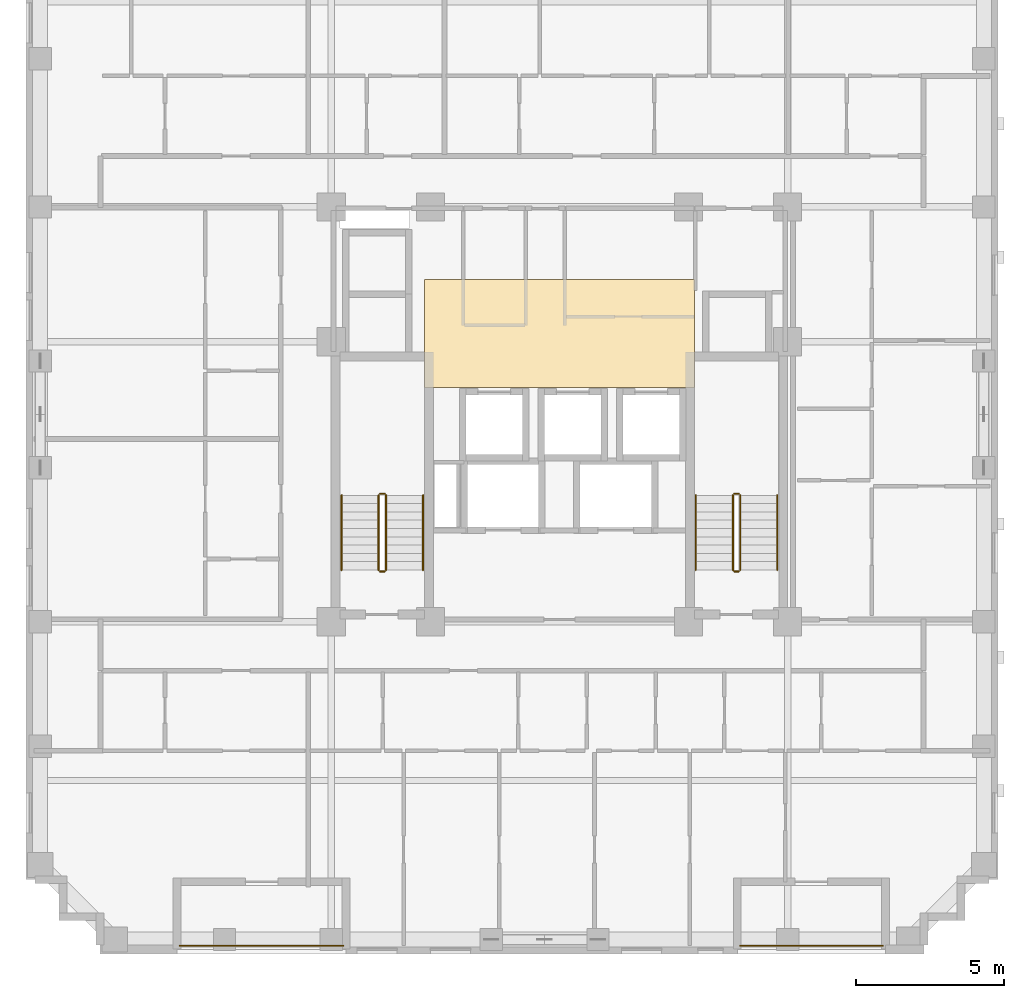
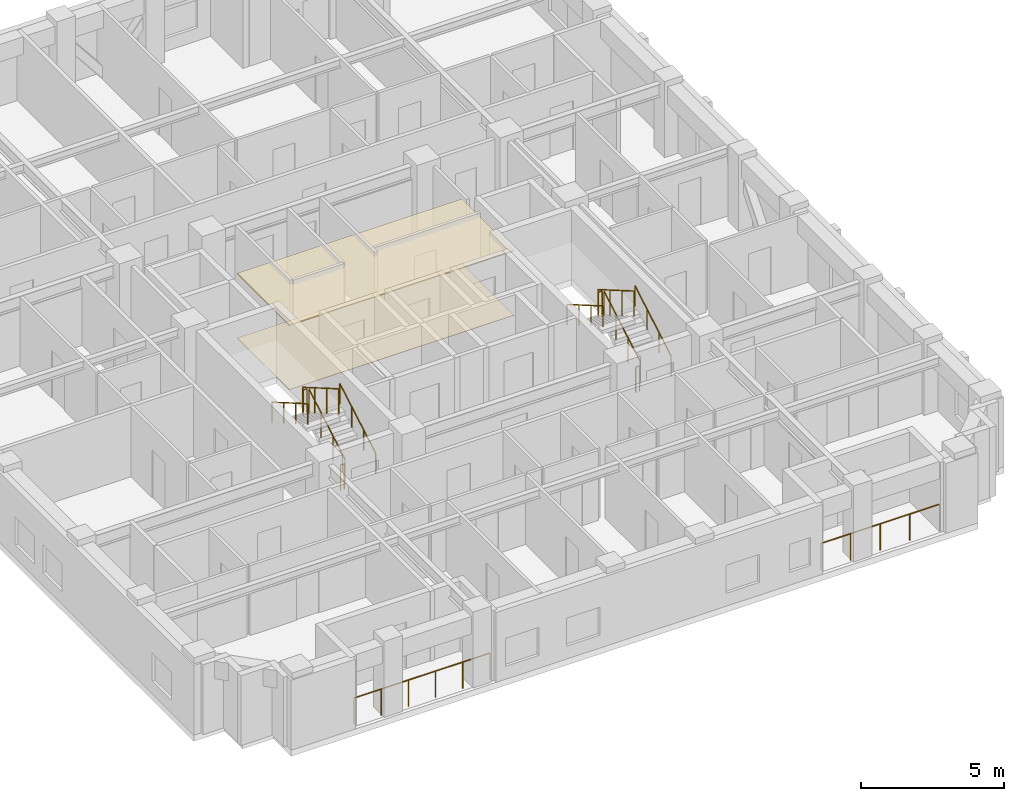
# One storey, part 10 of 11: 14 railings, 2 coverings.
"""IFC4 building model written with IfcOpenShell, lengths in metres."""

from ifc_helpers import new_model, si_unit, derived_unit, direction, frame, origin, origin_2d, place, context, subcontext, project, spatial, polyline, circle, outline, extrude, material, layer, layer_set, type_object, element, save


model = new_model("IFC4")

# Units and contexts
model_context = context("Model", 3, precision=1e-05, world=origin(), true_north=direction((0.0, 1.0)))
body_context = subcontext(model_context, "Body", "Model", "MODEL_VIEW")
ifc_project = project(units=[si_unit("LENGTHUNIT", "METRE"), si_unit("AREAUNIT", "SQUARE_METRE"), si_unit("VOLUMEUNIT", "CUBIC_METRE"), si_unit("PLANEANGLEUNIT", "RADIAN"), si_unit("MASSUNIT", "GRAM", prefix="KILO"), derived_unit("THERMALTRANSMITTANCEUNIT", [(si_unit("MASSUNIT", "GRAM", prefix="KILO"), 1), (si_unit("TIMEUNIT", "SECOND"), -3), (si_unit("THERMODYNAMICTEMPERATUREUNIT", "KELVIN"), -1)])], contexts=[model_context])

# Site, building, storey
site_placement = place(None, origin())
site = spatial("IfcSite", under=ifc_project, at=site_placement, CompositionType="ELEMENT")
building_placement = place(site_placement, origin())
building = spatial("IfcBuilding", under=site, at=building_placement, Name="Korrvale Station Residences", CompositionType="ELEMENT")
storey_placement = place(building_placement, frame((0.0, 0.0, 143.89990234375)))
storey = spatial("IfcBuildingStorey", under=building, at=storey_placement, Name="L41", CompositionType="ELEMENT", Elevation=143.89990234375)

# Coverings
ifc_material_1 = material(Name="Perforated acoustic mineral-fibre suspended ceiling", Category="gypsum")
ifc_layer_1 = layer(ifc_material_1, 0.050048828125, Name="Perforated acoustic mineral-fibre suspended ceiling")
ifc_layer_set_1 = layer_set([ifc_layer_1], Name="Perforated acoustic mineral-fibre suspended ceiling")
covering_type_1 = type_object("IfcCoveringType", Name="COV-CLG-AC60", PredefinedType="CEILING", material=ifc_layer_set_1)
covering_1_placement = place(storey_placement, frame((0.0, 0.0, 2.739990234375)))
element("IfcCovering", 1, at=covering_1_placement, inside=storey, type_object=covering_type_1, Name="L41 Elevator Lobby Acoustic Ceiling", PredefinedType="CEILING", context=body_context, shape_type="SweptSolid", body=[
    extrude(outline(polyline([(20.949951171875, 22.89990234375), (30.050048828125, 22.89990234375), (30.050048828125, 26.550048828125), (20.949951171875, 26.550048828125), (20.949951171875, 22.89990234375)])), origin(), (0.0, 0.0, 1.0), 0.050048828125),
])
ifc_material_2 = material(Name="Polished quartz-terrazzo lobby flooring", Category="masonry")
ifc_layer_2 = layer(ifc_material_2, 0.02001953125, Name="Polished quartz-terrazzo lobby flooring")
ifc_layer_set_2 = layer_set([ifc_layer_2], Name="Polished quartz-terrazzo lobby flooring")
covering_type_2 = type_object("IfcCoveringType", Name="COV-FLR-TER20", PredefinedType="FLOORING", material=ifc_layer_set_2)
covering_2_placement = place(storey_placement, origin())
element("IfcCovering", 2, at=covering_2_placement, inside=storey, type_object=covering_type_2, Name="L41 Elevator Lobby Terrazzo Flooring", PredefinedType="FLOORING", context=body_context, shape_type="SweptSolid", body=[
    extrude(outline(polyline([(20.949951171875, 22.89990234375), (30.050048828125, 22.89990234375), (30.050048828125, 26.550048828125), (20.949951171875, 26.550048828125), (20.949951171875, 22.89990234375)])), origin(), (0.0, 0.0, 1.0), 0.02001953125),
])

# Railings
ifc_material_3 = material(Name="Powder-coated aluminium picket loggia guard", Category="aluminium")
railing_type_1 = type_object("IfcRailingType", Name="RLG-BAL-1150", PredefinedType="GUARDRAIL", material=ifc_material_3)
railing_1_placement = place(storey_placement, frame((31.60009765625, 4.070068359375, 0.0)))
element("IfcRailing", 3, at=railing_1_placement, inside=storey, type_object=railing_type_1, Name="L41 Recessed Loggia Guardrail BAL-L41-S2", PredefinedType="GUARDRAIL", context=body_context, shape_type="SweptSolid", body=[
    extrude(circle(Radius=0.02392578125, at=origin_2d()), frame((0.0, 0.0, 1.1259765625), z_axis=(1.0, 0.0, 0.0), x_axis=(0.0, 1.0, 0.0)), (0.0, 0.0, 1.0), 4.7998046875),
    extrude(circle(Radius=0.02099609375, at=origin_2d()), origin(), (0.0, 0.0, 1.0), 1.101806640625),
    extrude(circle(Radius=0.02099609375, at=origin_2d()), frame((1.199951171875, 0.0, 0.0)), (0.0, 0.0, 1.0), 1.101806640625),
    extrude(circle(Radius=0.02099609375, at=origin_2d()), frame((2.39990234375, 0.0, 0.0)), (0.0, 0.0, 1.0), 1.101806640625),
    extrude(circle(Radius=0.02099609375, at=origin_2d()), frame((3.599853515625, 0.0, 0.0)), (0.0, 0.0, 1.0), 1.101806640625),
    extrude(circle(Radius=0.02099609375, at=origin_2d()), frame((4.7998046875, 0.0, 0.0)), (0.0, 0.0, 1.0), 1.101806640625),
])
railing_2_placement = place(storey_placement, frame((12.699951171875, 4.070068359375, 0.0)))
element("IfcRailing", 4, at=railing_2_placement, inside=storey, type_object=railing_type_1, Name="L41 Recessed Loggia Guardrail BAL-L41-S1", PredefinedType="GUARDRAIL", context=body_context, shape_type="SweptSolid", body=[
    extrude(circle(Radius=0.02392578125, at=origin_2d()), frame((0.0, 0.0, 1.1259765625), z_axis=(1.0, 0.0, 0.0), x_axis=(0.0, 1.0, 0.0)), (0.0, 0.0, 1.0), 5.5),
    extrude(circle(Radius=0.02099609375, at=origin_2d()), origin(), (0.0, 0.0, 1.0), 1.101806640625),
    extrude(circle(Radius=0.02099609375, at=origin_2d()), frame((1.10009765625, 0.0, 0.0)), (0.0, 0.0, 1.0), 1.101806640625),
    extrude(circle(Radius=0.02099609375, at=origin_2d()), frame((2.199951171875, 0.0, 0.0)), (0.0, 0.0, 1.0), 1.101806640625),
    extrude(circle(Radius=0.02099609375, at=origin_2d()), frame((3.300048828125, 0.0, 0.0)), (0.0, 0.0, 1.0), 1.101806640625),
    extrude(circle(Radius=0.02099609375, at=origin_2d()), frame((4.39990234375, 0.0, 0.0)), (0.0, 0.0, 1.0), 1.101806640625),
    extrude(circle(Radius=0.02099609375, at=origin_2d()), frame((5.5, 0.0, 0.0)), (0.0, 0.0, 1.0), 1.101806640625),
])
ifc_material_4 = material(Name="Brushed stainless-steel continuous stair handrail", Category="steel")
railing_type_2 = type_object("IfcRailingType", Name="RLG-SHND-900", PredefinedType="HANDRAIL", material=ifc_material_4)
railing_3_placement = place(storey_placement, frame((20.89990234375, 16.75, 0.16259765625)))
element("IfcRailing", 5, at=railing_3_placement, inside=storey, type_object=railing_type_2, Name="L41 ST-1 stair handrail 1", PredefinedType="HANDRAIL", context=body_context, shape_type="SweptSolid", body=[
    extrude(circle(Radius=0.02392578125, at=origin_2d()), frame((0.0, 0.0, 0.8759765625), z_axis=(0.0, 0.864913338283, 0.50192122615), x_axis=(-1.0, 0.0, 0.0)), (0.0, 0.0, 1.0), 2.91357421875),
    extrude(circle(Radius=0.02099609375, at=origin_2d()), origin(), (0.0, 0.0, 1.0), 0.851806640625),
    extrude(circle(Radius=0.02099609375, at=origin_2d()), frame((0.0, 0.840087890625, 0.487548828125)), (0.0, 0.0, 1.0), 0.851806640625),
    extrude(circle(Radius=0.02099609375, at=origin_2d()), frame((0.0, 1.679931640625, 0.974853515625)), (0.0, 0.0, 1.0), 0.851806640625),
    extrude(circle(Radius=0.02099609375, at=origin_2d()), frame((0.0, 2.52001953125, 1.46240234375)), (0.0, 0.0, 1.0), 0.851806640625),
])
railing_4_placement = place(storey_placement, frame((18.14990234375, 19.27001953125, 1.78759765625)))
element("IfcRailing", 6, at=railing_4_placement, inside=storey, type_object=railing_type_2, Name="L41 ST-1 stair handrail 2", PredefinedType="HANDRAIL", context=body_context, shape_type="SweptSolid", body=[
    extrude(circle(Radius=0.02392578125, at=origin_2d()), frame((0.0, 0.0, 0.8759765625), z_axis=(0.0, -0.864913338283, 0.50192122615), x_axis=(1.0, 0.0, 0.0)), (0.0, 0.0, 1.0), 2.91357421875),
    extrude(circle(Radius=0.02099609375, at=origin_2d()), origin(), (0.0, 0.0, 1.0), 0.851806640625),
    extrude(circle(Radius=0.02099609375, at=origin_2d()), frame((0.0, -0.840087890625, 0.487548828125)), (0.0, 0.0, 1.0), 0.851806640625),
    extrude(circle(Radius=0.02099609375, at=origin_2d()), frame((0.0, -1.679931640625, 0.974853515625)), (0.0, 0.0, 1.0), 0.851806640625),
    extrude(circle(Radius=0.02099609375, at=origin_2d()), frame((0.0, -2.52001953125, 1.46240234375)), (0.0, 0.0, 1.0), 0.851806640625),
])
railing_5_placement = place(storey_placement, frame((32.85009765625, 16.75, 0.16259765625)))
element("IfcRailing", 7, at=railing_5_placement, inside=storey, type_object=railing_type_2, Name="L41 ST-2 stair handrail 1", PredefinedType="HANDRAIL", context=body_context, shape_type="SweptSolid", body=[
    extrude(circle(Radius=0.02392578125, at=origin_2d()), frame((0.0, 0.0, 0.8759765625), z_axis=(0.0, 0.864913338283, 0.50192122615), x_axis=(-1.0, 0.0, 0.0)), (0.0, 0.0, 1.0), 2.91357421875),
    extrude(circle(Radius=0.02099609375, at=origin_2d()), origin(), (0.0, 0.0, 1.0), 0.851806640625),
    extrude(circle(Radius=0.02099609375, at=origin_2d()), frame((0.0, 0.840087890625, 0.487548828125)), (0.0, 0.0, 1.0), 0.851806640625),
    extrude(circle(Radius=0.02099609375, at=origin_2d()), frame((0.0, 1.679931640625, 0.974853515625)), (0.0, 0.0, 1.0), 0.851806640625),
    extrude(circle(Radius=0.02099609375, at=origin_2d()), frame((0.0, 2.52001953125, 1.46240234375)), (0.0, 0.0, 1.0), 0.851806640625),
])
railing_6_placement = place(storey_placement, frame((30.10009765625, 19.27001953125, 1.78759765625)))
element("IfcRailing", 8, at=railing_6_placement, inside=storey, type_object=railing_type_2, Name="L41 ST-2 stair handrail 2", PredefinedType="HANDRAIL", context=body_context, shape_type="SweptSolid", body=[
    extrude(circle(Radius=0.02392578125, at=origin_2d()), frame((0.0, 0.0, 0.8759765625), z_axis=(0.0, -0.864913338283, 0.50192122615), x_axis=(1.0, 0.0, 0.0)), (0.0, 0.0, 1.0), 2.91357421875),
    extrude(circle(Radius=0.02099609375, at=origin_2d()), origin(), (0.0, 0.0, 1.0), 0.851806640625),
    extrude(circle(Radius=0.02099609375, at=origin_2d()), frame((0.0, -0.840087890625, 0.487548828125)), (0.0, 0.0, 1.0), 0.851806640625),
    extrude(circle(Radius=0.02099609375, at=origin_2d()), frame((0.0, -1.679931640625, 0.974853515625)), (0.0, 0.0, 1.0), 0.851806640625),
    extrude(circle(Radius=0.02099609375, at=origin_2d()), frame((0.0, -2.52001953125, 1.46240234375)), (0.0, 0.0, 1.0), 0.851806640625),
])
ifc_material_5 = material(Name="Galvanised painted tubular steel stair guard", Category="steel")
railing_type_3 = type_object("IfcRailingType", Name="RLG-STR-1100", PredefinedType="GUARDRAIL", material=ifc_material_5)
railing_7_placement = place(storey_placement, frame((19.64990234375, 16.75, 0.16259765625)))
element("IfcRailing", 9, at=railing_7_placement, inside=storey, type_object=railing_type_3, Name="L41 ST-1 stair guard 1", PredefinedType="GUARDRAIL", context=body_context, shape_type="SweptSolid", body=[
    extrude(circle(Radius=0.02392578125, at=origin_2d()), frame((0.0, 0.0, 1.076171875), z_axis=(0.0, 0.864913338283, 0.50192122615), x_axis=(-1.0, 0.0, 0.0)), (0.0, 0.0, 1.0), 2.91357421875),
    extrude(circle(Radius=0.02099609375, at=origin_2d()), origin(), (0.0, 0.0, 1.0), 1.052001953125),
    extrude(circle(Radius=0.02099609375, at=origin_2d()), frame((0.0, 0.840087890625, 0.487548828125)), (0.0, 0.0, 1.0), 1.052001953125),
    extrude(circle(Radius=0.02099609375, at=origin_2d()), frame((0.0, 1.679931640625, 0.974853515625)), (0.0, 0.0, 1.0), 1.052001953125),
    extrude(circle(Radius=0.02099609375, at=origin_2d()), frame((0.0, 2.52001953125, 1.46240234375)), (0.0, 0.0, 1.0), 1.052001953125),
])
railing_8_placement = place(storey_placement, frame((19.60009765625, 19.320068359375, 1.625)))
element("IfcRailing", 10, at=railing_8_placement, inside=storey, type_object=railing_type_3, Name="L41 ST-1 stair guard 2", PredefinedType="GUARDRAIL", context=body_context, shape_type="SweptSolid", body=[
    extrude(circle(Radius=0.02392578125, at=origin_2d()), frame((0.0, 0.0, 1.076171875), z_axis=(-1.0, 0.0, 0.0), x_axis=(0.0, -1.0, 0.0)), (0.0, 0.0, 1.0), 0.150146484375),
    extrude(circle(Radius=0.02099609375, at=origin_2d()), origin(), (0.0, 0.0, 1.0), 1.052001953125),
    extrude(circle(Radius=0.02099609375, at=origin_2d()), frame((-0.150146484375, 0.0, 0.0)), (0.0, 0.0, 1.0), 1.052001953125),
])
railing_9_placement = place(storey_placement, frame((19.39990234375, 19.27001953125, 1.78759765625)))
element("IfcRailing", 11, at=railing_9_placement, inside=storey, type_object=railing_type_3, Name="L41 ST-1 stair guard 3", PredefinedType="GUARDRAIL", context=body_context, shape_type="SweptSolid", body=[
    extrude(circle(Radius=0.02392578125, at=origin_2d()), frame((0.0, 0.0, 1.076171875), z_axis=(0.0, -0.864913338283, 0.50192122615), x_axis=(1.0, 0.0, 0.0)), (0.0, 0.0, 1.0), 2.91357421875),
    extrude(circle(Radius=0.02099609375, at=origin_2d()), origin(), (0.0, 0.0, 1.0), 1.052001953125),
    extrude(circle(Radius=0.02099609375, at=origin_2d()), frame((0.0, -0.840087890625, 0.487548828125)), (0.0, 0.0, 1.0), 1.052001953125),
    extrude(circle(Radius=0.02099609375, at=origin_2d()), frame((0.0, -1.679931640625, 0.974853515625)), (0.0, 0.0, 1.0), 1.052001953125),
    extrude(circle(Radius=0.02099609375, at=origin_2d()), frame((0.0, -2.52001953125, 1.46240234375)), (0.0, 0.0, 1.0), 1.052001953125),
])
railing_10_placement = place(storey_placement, frame((19.60009765625, 16.699951171875, 0.0)))
element("IfcRailing", 12, at=railing_10_placement, inside=storey, type_object=railing_type_3, Name="L41 ST-1 stair guard 4", PredefinedType="GUARDRAIL", context=body_context, shape_type="SweptSolid", body=[
    extrude(circle(Radius=0.02392578125, at=origin_2d()), frame((0.0, 0.0, 1.076171875), z_axis=(-1.0, 0.0, 0.0), x_axis=(0.0, -1.0, 0.0)), (0.0, 0.0, 1.0), 0.150146484375),
    extrude(circle(Radius=0.02099609375, at=origin_2d()), origin(), (0.0, 0.0, 1.0), 1.052001953125),
    extrude(circle(Radius=0.02099609375, at=origin_2d()), frame((-0.150146484375, 0.0, 0.0)), (0.0, 0.0, 1.0), 1.052001953125),
])
railing_11_placement = place(storey_placement, frame((31.60009765625, 16.75, 0.16259765625)))
element("IfcRailing", 13, at=railing_11_placement, inside=storey, type_object=railing_type_3, Name="L41 ST-2 stair guard 1", PredefinedType="GUARDRAIL", context=body_context, shape_type="SweptSolid", body=[
    extrude(circle(Radius=0.02392578125, at=origin_2d()), frame((0.0, 0.0, 1.076171875), z_axis=(0.0, 0.864913338283, 0.50192122615), x_axis=(-1.0, 0.0, 0.0)), (0.0, 0.0, 1.0), 2.91357421875),
    extrude(circle(Radius=0.02099609375, at=origin_2d()), origin(), (0.0, 0.0, 1.0), 1.052001953125),
    extrude(circle(Radius=0.02099609375, at=origin_2d()), frame((0.0, 0.840087890625, 0.487548828125)), (0.0, 0.0, 1.0), 1.052001953125),
    extrude(circle(Radius=0.02099609375, at=origin_2d()), frame((0.0, 1.679931640625, 0.974853515625)), (0.0, 0.0, 1.0), 1.052001953125),
    extrude(circle(Radius=0.02099609375, at=origin_2d()), frame((0.0, 2.52001953125, 1.46240234375)), (0.0, 0.0, 1.0), 1.052001953125),
])
railing_12_placement = place(storey_placement, frame((31.550048828125, 19.320068359375, 1.625)))
element("IfcRailing", 14, at=railing_12_placement, inside=storey, type_object=railing_type_3, Name="L41 ST-2 stair guard 2", PredefinedType="GUARDRAIL", context=body_context, shape_type="SweptSolid", body=[
    extrude(circle(Radius=0.02392578125, at=origin_2d()), frame((0.0, 0.0, 1.076171875), z_axis=(-1.0, 0.0, 0.0), x_axis=(0.0, -1.0, 0.0)), (0.0, 0.0, 1.0), 0.150146484375),
    extrude(circle(Radius=0.02099609375, at=origin_2d()), origin(), (0.0, 0.0, 1.0), 1.052001953125),
    extrude(circle(Radius=0.02099609375, at=origin_2d()), frame((-0.150146484375, 0.0, 0.0)), (0.0, 0.0, 1.0), 1.052001953125),
])
railing_13_placement = place(storey_placement, frame((31.35009765625, 19.27001953125, 1.78759765625)))
element("IfcRailing", 15, at=railing_13_placement, inside=storey, type_object=railing_type_3, Name="L41 ST-2 stair guard 3", PredefinedType="GUARDRAIL", context=body_context, shape_type="SweptSolid", body=[
    extrude(circle(Radius=0.02392578125, at=origin_2d()), frame((0.0, 0.0, 1.076171875), z_axis=(0.0, -0.864913338283, 0.50192122615), x_axis=(1.0, 0.0, 0.0)), (0.0, 0.0, 1.0), 2.91357421875),
    extrude(circle(Radius=0.02099609375, at=origin_2d()), origin(), (0.0, 0.0, 1.0), 1.052001953125),
    extrude(circle(Radius=0.02099609375, at=origin_2d()), frame((0.0, -0.840087890625, 0.487548828125)), (0.0, 0.0, 1.0), 1.052001953125),
    extrude(circle(Radius=0.02099609375, at=origin_2d()), frame((0.0, -1.679931640625, 0.974853515625)), (0.0, 0.0, 1.0), 1.052001953125),
    extrude(circle(Radius=0.02099609375, at=origin_2d()), frame((0.0, -2.52001953125, 1.46240234375)), (0.0, 0.0, 1.0), 1.052001953125),
])
railing_14_placement = place(storey_placement, frame((31.550048828125, 16.699951171875, 0.0)))
element("IfcRailing", 16, at=railing_14_placement, inside=storey, type_object=railing_type_3, Name="L41 ST-2 stair guard 4", PredefinedType="GUARDRAIL", context=body_context, shape_type="SweptSolid", body=[
    extrude(circle(Radius=0.02392578125, at=origin_2d()), frame((0.0, 0.0, 1.076171875), z_axis=(-1.0, 0.0, 0.0), x_axis=(0.0, -1.0, 0.0)), (0.0, 0.0, 1.0), 0.150146484375),
    extrude(circle(Radius=0.02099609375, at=origin_2d()), origin(), (0.0, 0.0, 1.0), 1.052001953125),
    extrude(circle(Radius=0.02099609375, at=origin_2d()), frame((-0.150146484375, 0.0, 0.0)), (0.0, 0.0, 1.0), 1.052001953125),
])

save(model, "model.ifc")
